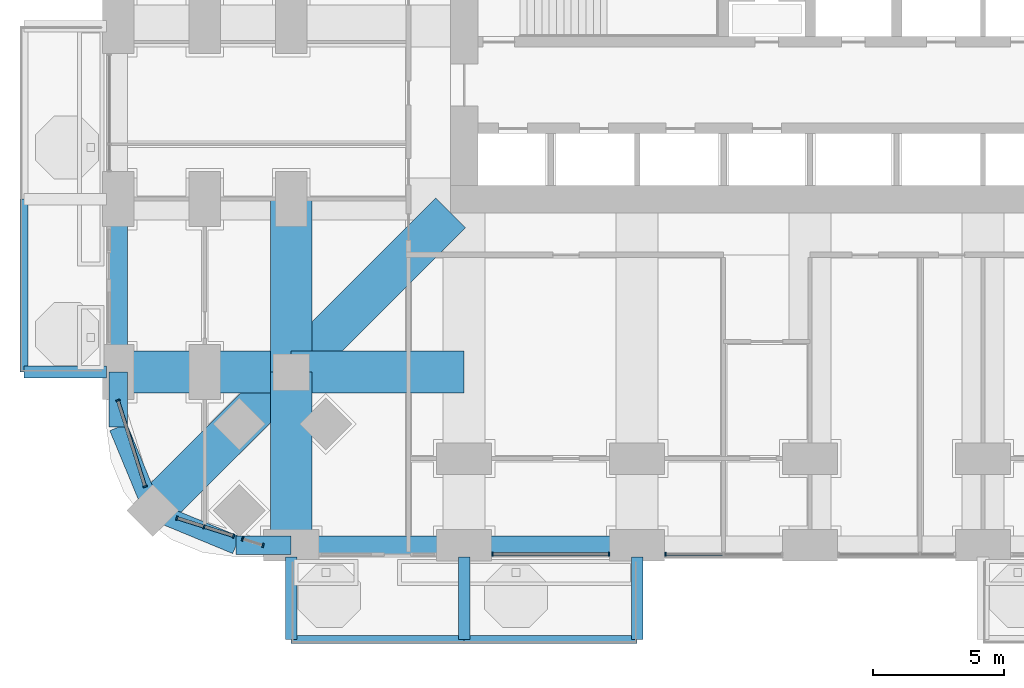
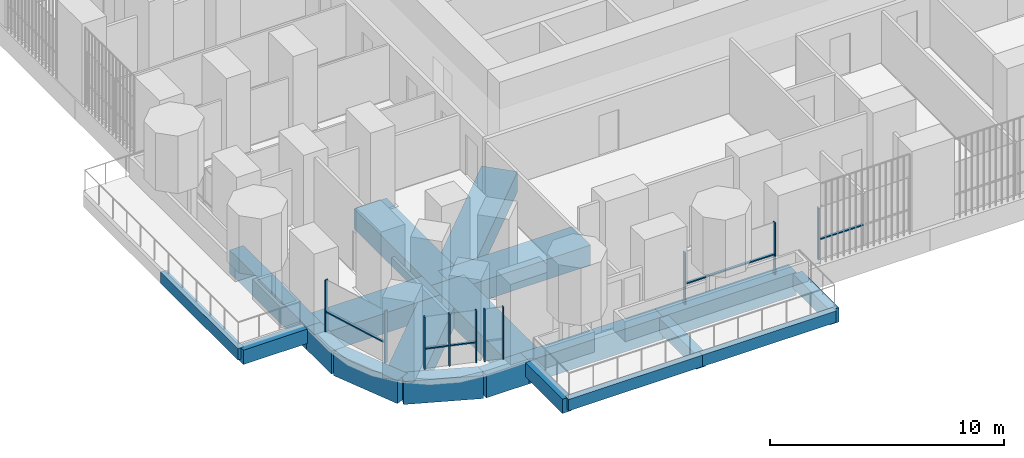
# One storey, part 2 of 27: 20 beams, 15 members, 5 elements without a shape of their own.
"""IFC4 building model written with IfcOpenShell, lengths in metres."""

from ifc_helpers import new_model, si_unit, direction, frame, origin, origin_2d, place, context, subcontext, project, spatial, rectangle, extrude, material, material_profile, profile_set, type_object, element, aggregate, save


model = new_model("IFC4")

# Units and contexts
model_context = context("Model", 3, precision=1e-05, world=origin(), true_north=direction((0.0, 1.0)))
body_context = subcontext(model_context, "Body", "Model", "MODEL_VIEW")
ifc_project = project(units=[si_unit("LENGTHUNIT", "METRE"), si_unit("AREAUNIT", "SQUARE_METRE"), si_unit("VOLUMEUNIT", "CUBIC_METRE"), si_unit("PLANEANGLEUNIT", "RADIAN"), si_unit("MASSUNIT", "GRAM", prefix="KILO")], contexts=[model_context])

# Site, building, storey
site_placement = place(None, origin())
site = spatial("IfcSite", under=ifc_project, at=site_placement, CompositionType="ELEMENT")
building_placement = place(site_placement, origin())
building = spatial("IfcBuilding", under=site, at=building_placement, Name="Cobogo Forest Laboratory Tower", CompositionType="ELEMENT")
storey_placement = place(building_placement, frame((0.0, 0.0, 54.89990234375)))
storey = spatial("IfcBuildingStorey", under=building, at=storey_placement, Name="L12", CompositionType="ELEMENT", Elevation=54.89990234375)

# Beams
ifc_material_1 = material(Name="Concrete HA-40 (C40/50)", Category="concrete")
ifc_material_profile_1 = material_profile(ifc_material_1, rectangle(XDim=0.449951171875, YDim=0.75, at=origin_2d()), Name="RC 450x750")
ifc_profile_set_1 = profile_set([ifc_material_profile_1], Name="Concrete HA-40 (C40/50)")
beam_type_1 = type_object("IfcBeamType", Name="Balcony cantilever beam 450x750", PredefinedType="BEAM", material=ifc_profile_set_1)
for number, where, z_axis, x_axis, name in (
    (1, (6.60009765625, -0.449951171875, -0.625), (0.0, -1.0, 0.0), (1.0, 0.0, 0.0), "CB1 BAL-S1-C1 L12"),
    (2, (13.199951171875, -0.449951171875, -0.625), (0.0, -1.0, 0.0), (1.0, 0.0, 0.0), "CB1 BAL-S1-C2 L12"),
    (3, (19.800048828125, -0.449951171875, -0.625), (0.0, -1.0, 0.0), (1.0, 0.0, 0.0), "CB1 BAL-S1-C3 L12"),
    (4, (-0.449951171875, 6.60009765625, -0.625), (-1.0, 0.0, 0.0), (0.0, -1.0, 0.0), "CB1 BAL-W1-C1 L12"),
):
    element("IfcBeam", number, at=place(storey_placement, frame(where, z_axis=z_axis, x_axis=x_axis)), inside=storey, type_object=beam_type_1, Name=name, PredefinedType="BEAM", context=body_context, shape_type="SweptSolid", body=[
        extrude(rectangle(XDim=0.449951171875, YDim=0.75, at=origin_2d()), origin(), (0.0, 0.0, 1.0), 3.150146484375),
    ])
ifc_material_profile_2 = material_profile(ifc_material_1, rectangle(XDim=0.300048828125, YDim=0.60009765625, at=origin_2d()), Name="RC 300x600")
ifc_profile_set_2 = profile_set([ifc_material_profile_2], Name="Concrete HA-40 (C40/50)")
beam_type_2 = type_object("IfcBeamType", Name="Balcony edge beam 300x600", PredefinedType="BEAM", material=ifc_profile_set_2)
beam_1_placement = place(storey_placement, frame((6.60009765625, -3.60009765625, -0.5498046875), z_axis=(1.0, 0.0, 0.0), x_axis=(0.0, 1.0, 0.0)))
element("IfcBeam", 5, at=beam_1_placement, inside=storey, type_object=beam_type_2, Name="BB1 BAL-S1-T1 L12", PredefinedType="BEAM", context=body_context, shape_type="SweptSolid", body=[
    extrude(rectangle(XDim=0.300048828125, YDim=0.60009765625, at=origin_2d()), origin(), (0.0, 0.0, 1.0), 6.599853515625),
])
beam_2_placement = place(storey_placement, frame((13.199951171875, -3.60009765625, -0.5498046875), z_axis=(1.0, 0.0, 0.0), x_axis=(0.0, 1.0, 0.0)))
element("IfcBeam", 6, at=beam_2_placement, inside=storey, type_object=beam_type_2, Name="BB1 BAL-S1-T2 L12", PredefinedType="BEAM", context=body_context, shape_type="SweptSolid", body=[
    extrude(rectangle(XDim=0.300048828125, YDim=0.60009765625, at=origin_2d()), origin(), (0.0, 0.0, 1.0), 6.60009765625),
])
beam_3_placement = place(storey_placement, frame((-3.60009765625, 6.60009765625, -0.5498046875), z_axis=(0.0, 1.0, 0.0), x_axis=(-1.0, 0.0, 0.0)))
element("IfcBeam", 7, at=beam_3_placement, inside=storey, type_object=beam_type_2, Name="BB1 BAL-W1-T1 L12", PredefinedType="BEAM", context=body_context, shape_type="SweptSolid", body=[
    extrude(rectangle(XDim=0.300048828125, YDim=0.60009765625, at=origin_2d()), origin(), (0.0, 0.0, 1.0), 6.599853515625),
])
ifc_material_2 = material(Name="Concrete HA-50 (C50/60)", Category="concrete")
ifc_material_profile_3 = material_profile(ifc_material_2, rectangle(XDim=1.60009765625, YDim=1.050048828125, at=origin_2d()), Name="RC 1600x1050")
ifc_profile_set_3 = profile_set([ifc_material_profile_3], Name="Concrete HA-50 (C50/60)")
beam_type_3 = type_object("IfcBeamType", Name="Laboratory floor wide beam 1600x1050", PredefinedType="BEAM", material=ifc_profile_set_3)
beam_4_placement = place(storey_placement, frame((6.60009765625, 0.0, -0.824951171875), z_axis=(0.0, 1.0, 0.0), x_axis=(-1.0, 0.0, 0.0)))
element("IfcBeam", 8, at=beam_4_placement, inside=storey, type_object=beam_type_3, Name="RB8 G-SW-XF L12", PredefinedType="BEAM", context=body_context, shape_type="SweptSolid", body=[
    extrude(rectangle(XDim=1.60009765625, YDim=1.050048828125, at=origin_2d()), origin(), (0.0, 0.0, 1.0), 6.60009765625),
])
beam_5_placement = place(storey_placement, frame((6.60009765625, 6.60009765625, -0.824951171875), z_axis=(0.0, 1.0, 0.0), x_axis=(-1.0, 0.0, 0.0)))
element("IfcBeam", 9, at=beam_5_placement, inside=storey, type_object=beam_type_3, Name="RB8 G-SW-XC L12", PredefinedType="BEAM", context=body_context, shape_type="SweptSolid", body=[
    extrude(rectangle(XDim=1.60009765625, YDim=1.050048828125, at=origin_2d()), origin(), (0.0, 0.0, 1.0), 6.599853515625),
])
beam_6_placement = place(storey_placement, frame((0.0, 6.60009765625, -0.824951171875), z_axis=(1.0, 0.0, 0.0), x_axis=(0.0, 1.0, 0.0)))
element("IfcBeam", 10, at=beam_6_placement, inside=storey, type_object=beam_type_3, Name="RB8 G-SW-YF L12", PredefinedType="BEAM", context=body_context, shape_type="SweptSolid", body=[
    extrude(rectangle(XDim=1.60009765625, YDim=1.050048828125, at=origin_2d()), origin(), (0.0, 0.0, 1.0), 6.60009765625),
])
beam_7_placement = place(storey_placement, frame((6.60009765625, 6.60009765625, -0.824951171875), z_axis=(1.0, 0.0, 0.0), x_axis=(0.0, 1.0, 0.0)))
element("IfcBeam", 11, at=beam_7_placement, inside=storey, type_object=beam_type_3, Name="RB8 G-SW-YC L12", PredefinedType="BEAM", context=body_context, shape_type="SweptSolid", body=[
    extrude(rectangle(XDim=1.60009765625, YDim=1.050048828125, at=origin_2d()), origin(), (0.0, 0.0, 1.0), 6.599853515625),
])
beam_8_placement = place(storey_placement, frame((1.318115234375, 1.318115234375, -0.824951171875), z_axis=(0.707106781187, 0.707106781187, 0.0), x_axis=(-0.707106781187, 0.707106781187, 0.0)))
element("IfcBeam", 12, at=beam_8_placement, inside=storey, type_object=beam_type_3, Name="RB8 G-SW-D1 L12", PredefinedType="BEAM", context=body_context, shape_type="SweptSolid", body=[
    extrude(rectangle(XDim=1.60009765625, YDim=1.050048828125, at=origin_2d()), origin(), (0.0, 0.0, 1.0), 7.469970703125),
])
beam_9_placement = place(storey_placement, frame((6.60009765625, 6.60009765625, -0.824951171875), z_axis=(0.707106781187, 0.707106781187, 0.0), x_axis=(-0.707106781187, 0.707106781187, 0.0)))
element("IfcBeam", 13, at=beam_9_placement, inside=storey, type_object=beam_type_3, Name="RB8 G-SW-D2 L12", PredefinedType="BEAM", context=body_context, shape_type="SweptSolid", body=[
    extrude(rectangle(XDim=1.60009765625, YDim=1.050048828125, at=origin_2d()), origin(), (0.0, 0.0, 1.0), 8.59130859375),
])

# Curtain wall, members
ifc_material_3 = material(Name="Aluminium curtain wall", Category="aluminium")
curtain_wall_type = type_object("IfcCurtainWallType", Name="CW-1 unitised curtain wall, clear glazing, laboratory floors zones A and B", PredefinedType="USERDEFINED", material=ifc_material_3)
curtain_wall_1_placement = place(storey_placement, origin())
curtain_wall_1 = element("IfcCurtainWall", 14, at=curtain_wall_1_placement, inside=storey, type_object=curtain_wall_type, Name="Curtain wall 02 L12", ObjectType="UNITISED CURTAIN WALL", PredefinedType="USERDEFINED")
ifc_material_4 = material(Name="Aluminium mullion", Category="aluminium")
ifc_material_profile_4 = material_profile(ifc_material_4, rectangle(XDim=0.06005859375, YDim=0.159912109375, at=origin_2d()), Name="AL 60x160")
ifc_profile_set_4 = profile_set([ifc_material_profile_4], Name="Aluminium mullion")
member_type_1 = type_object("IfcMemberType", Name="MU-1 aluminium mullion 60x160", PredefinedType="MULLION", material=ifc_profile_set_4)
member_1_placement = place(storey_placement, frame((14.280029296875, -0.35009765625, 0.0), z_axis=(0.0, 0.0, 1.0), x_axis=(1.0, 0.0, 0.0)))
member_1 = element("IfcMember", 15, at=member_1_placement, type_object=member_type_1, Name="CW-1 mullion 1", PredefinedType="MULLION", context=body_context, shape_type="SweptSolid", body=[
    extrude(rectangle(XDim=0.06005859375, YDim=0.159912109375, at=origin_2d()), origin(), (0.0, 0.0, 1.0), 2.7001953125),
])
member_2_placement = place(storey_placement, frame((18.719970703125, -0.35009765625, 0.0), z_axis=(0.0, 0.0, 1.0), x_axis=(1.0, 0.0, 0.0)))
member_2 = element("IfcMember", 16, at=member_2_placement, type_object=member_type_1, Name="CW-1 mullion 2", PredefinedType="MULLION", context=body_context, shape_type="SweptSolid", body=[
    extrude(rectangle(XDim=0.06005859375, YDim=0.159912109375, at=origin_2d()), origin(), (0.0, 0.0, 1.0), 2.7001953125),
])

# Curtain wall, member
curtain_wall_2_placement = place(storey_placement, origin())
curtain_wall_2 = element("IfcCurtainWall", 17, at=curtain_wall_2_placement, inside=storey, type_object=curtain_wall_type, Name="Curtain wall 03 L12", ObjectType="UNITISED CURTAIN WALL", PredefinedType="USERDEFINED")
member_3_placement = place(storey_placement, frame((20.8798828125, -0.35009765625, 0.0), z_axis=(0.0, 0.0, 1.0), x_axis=(1.0, 0.0, 0.0)))
member_3 = element("IfcMember", 18, at=member_3_placement, type_object=member_type_1, Name="CW-1 mullion 1", PredefinedType="MULLION", context=body_context, shape_type="SweptSolid", body=[
    extrude(rectangle(XDim=0.06005859375, YDim=0.159912109375, at=origin_2d()), origin(), (0.0, 0.0, 1.0), 2.7001953125),
])

# Curtain wall, members
curtain_wall_3_placement = place(storey_placement, origin())
curtain_wall_3 = element("IfcCurtainWall", 19, at=curtain_wall_3_placement, inside=storey, type_object=curtain_wall_type, Name="Curtain wall 32 L12", ObjectType="UNITISED CURTAIN WALL", PredefinedType="USERDEFINED")
member_4_placement = place(storey_placement, frame((-0.00927734375, 5.521484375, 0.0), z_axis=(0.0, 0.0, 1.0), x_axis=(0.30113535792, -0.95358140513, 0.0)))
member_4 = element("IfcMember", 20, at=member_4_placement, type_object=member_type_1, Name="CW-1 mullion 1", PredefinedType="MULLION", context=body_context, shape_type="SweptSolid", body=[
    extrude(rectangle(XDim=0.06005859375, YDim=0.159912109375, at=origin_2d()), origin(), (0.0, 0.0, 1.0), 2.7001953125),
])
member_5_placement = place(storey_placement, frame((1.02734375, 2.23876953125, 0.0), z_axis=(0.0, 0.0, 1.0), x_axis=(0.30113535792, -0.95358140513, 0.0)))
member_5 = element("IfcMember", 21, at=member_5_placement, type_object=member_type_1, Name="CW-1 mullion 2", PredefinedType="MULLION", context=body_context, shape_type="SweptSolid", body=[
    extrude(rectangle(XDim=0.06005859375, YDim=0.159912109375, at=origin_2d()), origin(), (0.0, 0.0, 1.0), 2.7001953125),
])

curtain_wall_4_placement = place(storey_placement, origin())
curtain_wall_4 = element("IfcCurtainWall", 22, at=curtain_wall_4_placement, inside=storey, type_object=curtain_wall_type, Name="Curtain wall 33 L12", ObjectType="UNITISED CURTAIN WALL", PredefinedType="USERDEFINED")
member_6_placement = place(storey_placement, frame((2.23876953125, 1.02734375, 0.0), z_axis=(0.0, 0.0, 1.0), x_axis=(0.953581409645, -0.301135343623, 0.0)))
member_6 = element("IfcMember", 23, at=member_6_placement, type_object=member_type_1, Name="CW-1 mullion 1", PredefinedType="MULLION", context=body_context, shape_type="SweptSolid", body=[
    extrude(rectangle(XDim=0.06005859375, YDim=0.159912109375, at=origin_2d()), origin(), (0.0, 0.0, 1.0), 2.7001953125),
])
member_7_placement = place(storey_placement, frame((3.27587890625, 0.69970703125, 0.0), z_axis=(0.0, 0.0, 1.0), x_axis=(0.953581409645, -0.301135343623, 0.0)))
member_7 = element("IfcMember", 24, at=member_7_placement, type_object=member_type_1, Name="CW-1 mullion 2", PredefinedType="MULLION", context=body_context, shape_type="SweptSolid", body=[
    extrude(rectangle(XDim=0.06005859375, YDim=0.159912109375, at=origin_2d()), origin(), (0.0, 0.0, 1.0), 2.7001953125),
])
member_8_placement = place(storey_placement, frame((4.39697265625, 0.345703125, 0.0), z_axis=(0.0, 0.0, 1.0), x_axis=(0.953581409645, -0.301135343623, 0.0)))
member_8 = element("IfcMember", 25, at=member_8_placement, type_object=member_type_1, Name="CW-1 mullion 3", PredefinedType="MULLION", context=body_context, shape_type="SweptSolid", body=[
    extrude(rectangle(XDim=0.06005859375, YDim=0.159912109375, at=origin_2d()), origin(), (0.0, 0.0, 1.0), 2.7001953125),
])

curtain_wall_5_placement = place(storey_placement, origin())
curtain_wall_5 = element("IfcCurtainWall", 26, at=curtain_wall_5_placement, inside=storey, type_object=curtain_wall_type, Name="Curtain wall 34 L12", ObjectType="UNITISED CURTAIN WALL", PredefinedType="USERDEFINED")
member_9_placement = place(storey_placement, frame((4.74658203125, 0.2353515625, 0.0), z_axis=(0.0, 0.0, 1.0), x_axis=(0.953581504428, -0.301135043481, 0.0)))
member_9 = element("IfcMember", 27, at=member_9_placement, type_object=member_type_1, Name="CW-1 mullion 1", PredefinedType="MULLION", context=body_context, shape_type="SweptSolid", body=[
    extrude(rectangle(XDim=0.06005859375, YDim=0.159912109375, at=origin_2d()), origin(), (0.0, 0.0, 1.0), 2.7001953125),
])
member_10_placement = place(storey_placement, frame((5.521484375, -0.00927734375, 0.0), z_axis=(0.0, 0.0, 1.0), x_axis=(0.953581504428, -0.301135043481, 0.0)))
member_10 = element("IfcMember", 28, at=member_10_placement, type_object=member_type_1, Name="CW-1 mullion 2", PredefinedType="MULLION", context=body_context, shape_type="SweptSolid", body=[
    extrude(rectangle(XDim=0.06005859375, YDim=0.159912109375, at=origin_2d()), origin(), (0.0, 0.0, 1.0), 2.7001953125),
])
aggregate(curtain_wall_5, [member_9, member_10])

# Beams
ifc_material_profile_5 = material_profile(ifc_material_1, rectangle(XDim=0.699951171875, YDim=1.199951171875, at=origin_2d()), Name="RC 700x1200")
ifc_profile_set_5 = profile_set([ifc_material_profile_5], Name="Concrete HA-40 (C40/50)")
beam_type_4 = type_object("IfcBeamType", Name="Perimeter edge beam 700x1200", PredefinedType="BEAM", material=ifc_profile_set_5)
beam_10_placement = place(storey_placement, frame((6.60009765625, 0.0, -0.89990234375), z_axis=(1.0, 0.0, 0.0), x_axis=(0.0, 1.0, 0.0)))
element("IfcBeam", 29, at=beam_10_placement, inside=storey, type_object=beam_type_4, Name="EB1 E-S1 L12", PredefinedType="BEAM", context=body_context, shape_type="SweptSolid", body=[
    extrude(rectangle(XDim=0.699951171875, YDim=1.199951171875, at=origin_2d()), origin(), (0.0, 0.0, 1.0), 6.599853515625),
])
beam_11_placement = place(storey_placement, frame((13.199951171875, 0.0, -0.89990234375), z_axis=(1.0, 0.0, 0.0), x_axis=(0.0, 1.0, 0.0)))
element("IfcBeam", 30, at=beam_11_placement, inside=storey, type_object=beam_type_4, Name="EB1 E-S2 L12", PredefinedType="BEAM", context=body_context, shape_type="SweptSolid", body=[
    extrude(rectangle(XDim=0.699951171875, YDim=1.199951171875, at=origin_2d()), origin(), (0.0, 0.0, 1.0), 6.60009765625),
])
beam_12_placement = place(storey_placement, frame((0.0, 6.60009765625, -0.89990234375), z_axis=(0.0, 1.0, 0.0), x_axis=(-1.0, 0.0, 0.0)))
element("IfcBeam", 31, at=beam_12_placement, inside=storey, type_object=beam_type_4, Name="EB1 E-W1 L12", PredefinedType="BEAM", context=body_context, shape_type="SweptSolid", body=[
    extrude(rectangle(XDim=0.699951171875, YDim=1.199951171875, at=origin_2d()), origin(), (0.0, 0.0, 1.0), 6.599853515625),
])
beam_13_placement = place(storey_placement, frame((6.60009765625, 0.0, -0.89990234375), z_axis=(-1.0, 0.0, 0.0), x_axis=(0.0, -1.0, 0.0)))
element("IfcBeam", 32, at=beam_13_placement, inside=storey, type_object=beam_type_4, Name="EB1 E-SWS1 L12", PredefinedType="BEAM", context=body_context, shape_type="SweptSolid", body=[
    extrude(rectangle(XDim=0.699951171875, YDim=1.199951171875, at=origin_2d()), origin(), (0.0, 0.0, 1.0), 2.10009765625),
])
beam_14_placement = place(storey_placement, frame((4.5, 0.0, -0.89990234375), z_axis=(-0.923865631356, 0.382716990999, 0.0), x_axis=(-0.382716990999, -0.923865631356, 0.0)))
element("IfcBeam", 33, at=beam_14_placement, inside=storey, type_object=beam_type_4, Name="EB1 E-SWS2 L12", PredefinedType="BEAM", context=body_context, shape_type="SweptSolid", body=[
    extrude(rectangle(XDim=0.699951171875, YDim=1.199951171875, at=origin_2d()), origin(), (0.0, 0.0, 1.0), 3.444091796875),
])
beam_15_placement = place(storey_placement, frame((0.0, 6.60009765625, -0.89990234375), z_axis=(0.0, -1.0, 0.0), x_axis=(1.0, 0.0, 0.0)))
element("IfcBeam", 34, at=beam_15_placement, inside=storey, type_object=beam_type_4, Name="EB1 E-SWW1 L12", PredefinedType="BEAM", context=body_context, shape_type="SweptSolid", body=[
    extrude(rectangle(XDim=0.699951171875, YDim=1.199951171875, at=origin_2d()), origin(), (0.0, 0.0, 1.0), 2.10009765625),
])
beam_16_placement = place(storey_placement, frame((0.0, 4.5, -0.89990234375), z_axis=(0.382716990999, -0.923865631356, 0.0), x_axis=(0.923865631356, 0.382716990999, 0.0)))
element("IfcBeam", 35, at=beam_16_placement, inside=storey, type_object=beam_type_4, Name="EB1 E-SWW2 L12", PredefinedType="BEAM", context=body_context, shape_type="SweptSolid", body=[
    extrude(rectangle(XDim=0.699951171875, YDim=1.199951171875, at=origin_2d()), origin(), (0.0, 0.0, 1.0), 3.444091796875),
])

# Member
ifc_material_5 = material(Name="Aluminium transom", Category="aluminium")
ifc_material_profile_6 = material_profile(ifc_material_5, rectangle(XDim=0.1201171875, YDim=0.06005859375, at=origin_2d()), Name="AL 60x120")
ifc_profile_set_6 = profile_set([ifc_material_profile_6], Name="Aluminium transom")
member_type_2 = type_object("IfcMemberType", Name="TR-1 aluminium transom 60x120", PredefinedType="USERDEFINED", material=ifc_profile_set_6)
member_11_placement = place(storey_placement, frame((14.31005859375, -0.35009765625, 1.050048828125), z_axis=(1.0, 0.0, 0.0), x_axis=(0.0, 1.0, 0.0)))
member_11 = element("IfcMember", 36, at=member_11_placement, type_object=member_type_2, Name="CW-1 transom 1.1", ObjectType="TRANSOM", PredefinedType="USERDEFINED", context=body_context, shape_type="SweptSolid", body=[
    extrude(rectangle(XDim=0.1201171875, YDim=0.06005859375, at=origin_2d()), origin(), (0.0, 0.0, 1.0), 4.3798828125),
])

aggregate(curtain_wall_1, [member_1, member_2, member_11])

member_12_placement = place(storey_placement, frame((20.909912109375, -0.35009765625, 1.050048828125), z_axis=(1.0, 0.0, 0.0), x_axis=(0.0, 1.0, 0.0)))
member_12 = element("IfcMember", 37, at=member_12_placement, type_object=member_type_2, Name="CW-1 transom 1.1", ObjectType="TRANSOM", PredefinedType="USERDEFINED", context=body_context, shape_type="SweptSolid", body=[
    extrude(rectangle(XDim=0.1201171875, YDim=0.06005859375, at=origin_2d()), origin(), (0.0, 0.0, 1.0), 2.16015625),
])

aggregate(curtain_wall_2, [member_3, member_12])

member_13_placement = place(storey_placement, frame((-0.000244140625, 5.49267578125, 1.050048828125), z_axis=(0.301138276922, -0.953580483322, 0.0), x_axis=(0.953580483322, 0.301138276922, 0.0)))
member_13 = element("IfcMember", 38, at=member_13_placement, type_object=member_type_2, Name="CW-1 transom 1.1", ObjectType="TRANSOM", PredefinedType="USERDEFINED", context=body_context, shape_type="SweptSolid", body=[
    extrude(rectangle(XDim=0.1201171875, YDim=0.06005859375, at=origin_2d()), origin(), (0.0, 0.0, 1.0), 3.38232421875),
])

aggregate(curtain_wall_3, [member_4, member_5, member_13])

member_14_placement = place(storey_placement, frame((2.267333984375, 1.018310546875, 1.050048828125), z_axis=(0.953553938535, -0.301222320394, 0.0), x_axis=(0.301222320394, 0.953553938535, 0.0)))
member_14 = element("IfcMember", 39, at=member_14_placement, type_object=member_type_2, Name="CW-1 transom 1.1", ObjectType="TRANSOM", PredefinedType="USERDEFINED", context=body_context, shape_type="SweptSolid", body=[
    extrude(rectangle(XDim=0.1201171875, YDim=0.06005859375, at=origin_2d()), origin(), (0.0, 0.0, 1.0), 1.02783203125),
])

member_15_placement = place(storey_placement, frame((3.304443359375, 0.690673828125, 1.050048828125), z_axis=(0.953595892327, -0.301089478624, 0.0), x_axis=(0.301089478624, 0.953595892327, 0.0)))
member_15 = element("IfcMember", 40, at=member_15_placement, type_object=member_type_2, Name="CW-1 transom 2.1", ObjectType="TRANSOM", PredefinedType="USERDEFINED", context=body_context, shape_type="SweptSolid", body=[
    extrude(rectangle(XDim=0.1201171875, YDim=0.06005859375, at=origin_2d()), origin(), (0.0, 0.0, 1.0), 1.11572265625),
])

aggregate(curtain_wall_4, [member_6, member_7, member_8, member_14, member_15])

save(model, "model.ifc")
